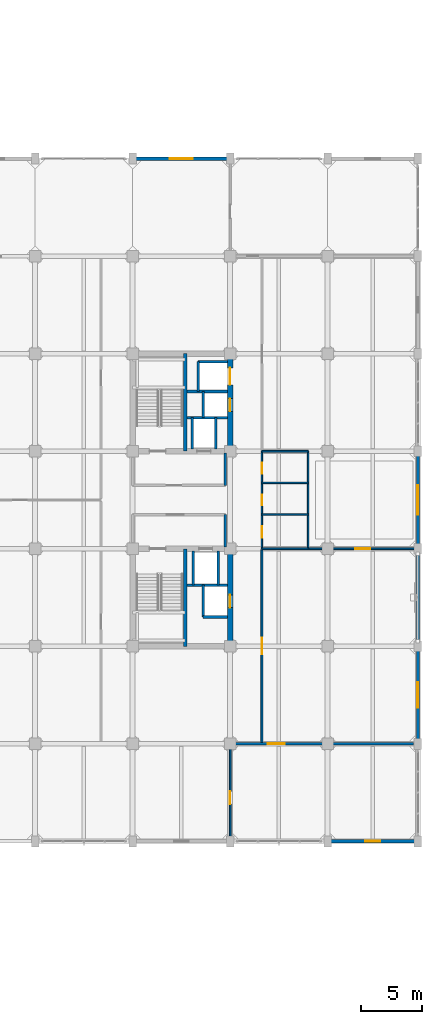
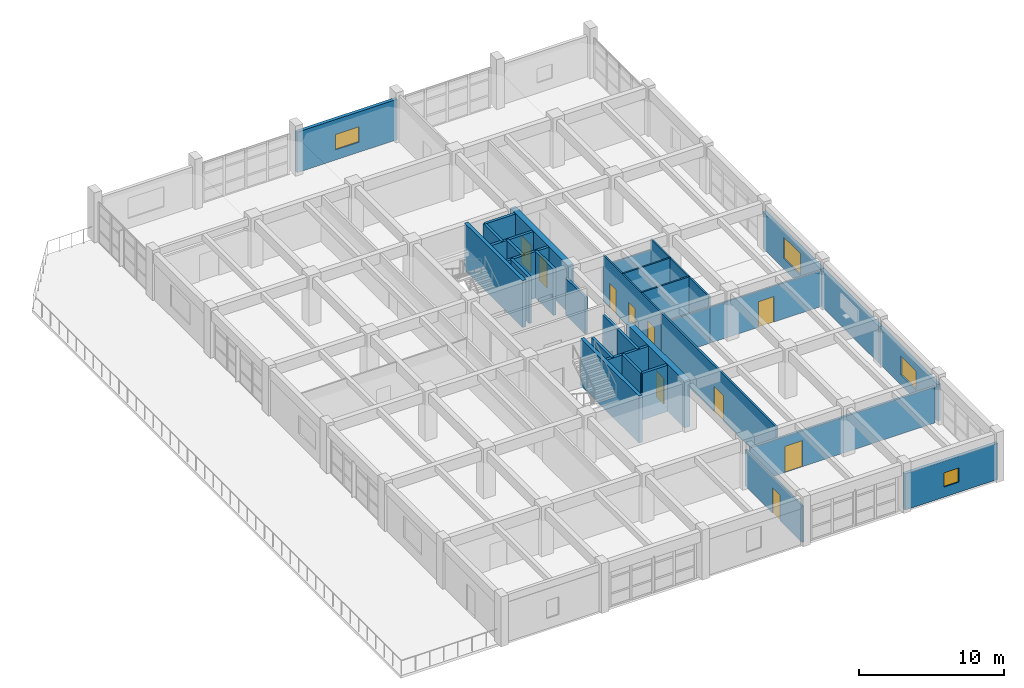
# One storey, part 27 of 35: 33 walls, 10 doors, 4 windows, 14 openings.
"""IFC4 building model written with IfcOpenShell, lengths in metres."""

from ifc_helpers import new_model, si_unit, direction, frame, frame_2d, origin, place, context, subcontext, project, spatial, rectangle, extrude, material, layer, layer_set, type_object, element, fill, save


model = new_model("IFC4")

# Units and contexts
model_context = context("Model", 3, precision=1e-05, world=origin(), true_north=direction((0.0, 1.0)))
body_context = subcontext(model_context, "Body", "Model", "MODEL_VIEW")
ifc_project = project(units=[si_unit("LENGTHUNIT", "METRE"), si_unit("AREAUNIT", "SQUARE_METRE"), si_unit("VOLUMEUNIT", "CUBIC_METRE"), si_unit("PLANEANGLEUNIT", "RADIAN"), si_unit("MASSUNIT", "GRAM", prefix="KILO")], contexts=[model_context])

# Site, building, storey
site_placement = place(None, origin())
site = spatial("IfcSite", under=ifc_project, at=site_placement, CompositionType="ELEMENT")
building_placement = place(site_placement, origin())
building = spatial("IfcBuilding", under=site, at=building_placement, Name="Canggui Botanical Conservatory", CompositionType="ELEMENT")
storey_placement = place(building_placement, frame((0.0, 0.0, 15.0)))
storey = spatial("IfcBuildingStorey", under=building, at=storey_placement, Name="L04", CompositionType="ELEMENT", Elevation=15.0)

# Wall, opening, window
ifc_material_1 = material(Name="Precast Concrete C40", Category="concrete")
ifc_layer_1 = layer(ifc_material_1, 0.260009765625, Name="Precast Concrete C40", Category="concrete")
ifc_layer_set_1 = layer_set([ifc_layer_1], Name="Precast Concrete C40")
wall_type_1 = type_object("IfcWallType", Name="EW-260", PredefinedType="STANDARD", material=ifc_layer_set_1)
wall_1_placement = place(storey_placement, frame((177.39990234375, 26.0, 0.0), z_axis=(0.0, 0.0, 1.0), x_axis=(-1.0, 0.0, 0.0)))
wall_1 = element("IfcWall", 1, at=wall_1_placement, inside=storey, type_object=wall_type_1, Name="Tower Insulated Exterior Wall L04-S1", PredefinedType="STANDARD", context=body_context, shape_type="SweptSolid", body=[
    extrude(rectangle(XDim=7.39990234375, YDim=0.260009765625, at=frame_2d((3.699951171875, 0.0))), origin(), (0.0, 0.0, 1.0), 3.030029296875),
])
opening_1_placement = place(wall_1_placement, frame((3.10009765625, 0.0, 0.85009765625)))
opening_1 = element("IfcOpeningElement", 2, at=opening_1_placement, cuts=wall_1, Name="Opening W-06", PredefinedType="OPENING", context=body_context, shape_type="SweptSolid", body=[
    extrude(rectangle(XDim=1.199951171875, YDim=1.199951171875, at=frame_2d((0.60009765625, 0.60009765625))), frame((0.0, 0.14013671875, 0.0), z_axis=(0.0, -1.0, 0.0), x_axis=(1.0, 0.0, 0.0)), (0.0, 0.0, 1.0), 0.280029296875),
])
ifc_material_2 = material(Name="Low-E Insulated Glass", Category="glass")
window_type_1 = type_object("IfcWindowType", Name="WIN-06", PartitioningType="SINGLE_PANEL", PredefinedType="WINDOW", material=ifc_material_2)
window_1_placement = place(opening_1_placement, origin())
window_1 = element("IfcWindow", 3, at=window_1_placement, inside=storey, type_object=window_type_1, Name="Tower Firefighter Rescue Window L04-1", OverallHeight=1.199951171875, OverallWidth=1.199951171875, PartitioningType="SINGLE_PANEL", PredefinedType="WINDOW", context=body_context, shape_type="SweptSolid", body=[
    extrude(rectangle(XDim=1.199951171875, YDim=1.199951171875, at=frame_2d((0.60009765625, 0.60009765625))), frame((0.0, 0.030029296875, 0.0), z_axis=(0.0, -1.0, 0.0), x_axis=(1.0, 0.0, 0.0)), (0.0, 0.0, 1.0), 0.06005859375),
])
fill(opening_1, window_1)

wall_2_placement = place(storey_placement, frame((154.0, 82.0, 0.0), z_axis=(0.0, 0.0, 1.0), x_axis=(1.0, 0.0, 0.0)))
wall_2 = element("IfcWall", 4, at=wall_2_placement, inside=storey, type_object=wall_type_1, Name="Tower Insulated Exterior Wall L04-N15", PredefinedType="STANDARD", context=body_context, shape_type="SweptSolid", body=[
    extrude(rectangle(XDim=8.0, YDim=0.260009765625, at=frame_2d((4.0, 0.0))), origin(), (0.0, 0.0, 1.0), 3.39990234375),
])
opening_2_placement = place(wall_2_placement, frame((3.050048828125, 0.0, 0.85009765625)))
opening_2 = element("IfcOpeningElement", 5, at=opening_2_placement, cuts=wall_2, Name="Opening W-22", PredefinedType="OPENING", context=body_context, shape_type="SweptSolid", body=[
    extrude(rectangle(XDim=1.89990234375, YDim=1.300048828125, at=frame_2d((0.949951171875, 0.64990234375))), frame((0.0, 0.14013671875, 0.0), z_axis=(0.0, -1.0, 0.0), x_axis=(1.0, 0.0, 0.0)), (0.0, 0.0, 1.0), 0.280029296875),
])
window_type_2 = type_object("IfcWindowType", Name="WIN-22", PartitioningType="DOUBLE_PANEL_VERTICAL", PredefinedType="WINDOW", material=ifc_material_2)
window_2_placement = place(opening_2_placement, origin())
window_2 = element("IfcWindow", 6, at=window_2_placement, inside=storey, type_object=window_type_2, Name="Tower Window L04-15", OverallHeight=1.300048828125, OverallWidth=1.89990234375, PartitioningType="SINGLE_PANEL", PredefinedType="WINDOW", context=body_context, shape_type="SweptSolid", body=[
    extrude(rectangle(XDim=1.89990234375, YDim=1.300048828125, at=frame_2d((0.949951171875, 0.64990234375))), frame((0.0, 0.030029296875, 0.0), z_axis=(0.0, -1.0, 0.0), x_axis=(1.0, 0.0, 0.0)), (0.0, 0.0, 1.0), 0.06005859375),
])
fill(opening_2, window_2)

wall_3_placement = place(storey_placement, frame((177.39990234375, 58.0, 0.0), z_axis=(0.0, 0.0, 1.0), x_axis=(0.0, -1.0, 0.0)))
wall_3 = element("IfcWall", 7, at=wall_3_placement, inside=storey, type_object=wall_type_1, Name="Tower Insulated Exterior Wall L04-E21", PredefinedType="STANDARD", context=body_context, shape_type="SweptSolid", body=[
    extrude(rectangle(XDim=8.0, YDim=0.260009765625, at=frame_2d((4.0, 0.0))), origin(), (0.0, 0.0, 1.0), 3.080078125),
])
opening_3_placement = place(wall_3_placement, frame((2.800048828125, 0.0, 0.85009765625)))
opening_3 = element("IfcOpeningElement", 8, at=opening_3_placement, cuts=wall_3, Name="Opening W-01", PredefinedType="OPENING", context=body_context, shape_type="SweptSolid", body=[
    extrude(rectangle(XDim=2.39990234375, YDim=1.800048828125, at=frame_2d((1.199951171875, 0.89990234375))), frame((0.0, 0.14013671875, 0.0), z_axis=(0.0, -1.0, 0.0), x_axis=(1.0, 0.0, 0.0)), (0.0, 0.0, 1.0), 0.280029296875),
])
window_type_3 = type_object("IfcWindowType", Name="WIN-01", PartitioningType="DOUBLE_PANEL_VERTICAL", PredefinedType="WINDOW", material=ifc_material_2)
window_3_placement = place(opening_3_placement, origin())
window_3 = element("IfcWindow", 9, at=window_3_placement, inside=storey, type_object=window_type_3, Name="Tower Window L04-21", OverallHeight=1.800048828125, OverallWidth=2.39990234375, PartitioningType="SINGLE_PANEL", PredefinedType="WINDOW", context=body_context, shape_type="SweptSolid", body=[
    extrude(rectangle(XDim=2.39990234375, YDim=1.800048828125, at=frame_2d((1.199951171875, 0.89990234375))), frame((0.0, 0.030029296875, 0.0), z_axis=(0.0, -1.0, 0.0), x_axis=(1.0, 0.0, 0.0)), (0.0, 0.0, 1.0), 0.06005859375),
])
fill(opening_3, window_3)

# Wall
wall_4_placement = place(storey_placement, frame((177.39990234375, 50.0, 0.0), z_axis=(0.0, 0.0, 1.0), x_axis=(0.0, -1.0, 0.0)))
element("IfcWall", 10, at=wall_4_placement, inside=storey, type_object=wall_type_1, Name="Tower Insulated Exterior Wall L04-E22", PredefinedType="STANDARD", context=body_context, shape_type="SweptSolid", body=[
    extrude(rectangle(XDim=8.0, YDim=0.260009765625, at=frame_2d((4.0, 0.0))), origin(), (0.0, 0.0, 1.0), 3.080078125),
])

# Wall, opening, window
wall_5_placement = place(storey_placement, frame((177.39990234375, 42.0, 0.0), z_axis=(0.0, 0.0, 1.0), x_axis=(0.0, -1.0, 0.0)))
wall_5 = element("IfcWall", 11, at=wall_5_placement, inside=storey, type_object=wall_type_1, Name="Tower Insulated Exterior Wall L04-E23", PredefinedType="STANDARD", context=body_context, shape_type="SweptSolid", body=[
    extrude(rectangle(XDim=8.0, YDim=0.260009765625, at=frame_2d((4.0, 0.0))), origin(), (0.0, 0.0, 1.0), 3.080078125),
])
opening_4_placement = place(wall_5_placement, frame((2.949951171875, 0.0, 0.85009765625)))
opening_4 = element("IfcOpeningElement", 12, at=opening_4_placement, cuts=wall_5, Name="Opening W-02", PredefinedType="OPENING", context=body_context, shape_type="SweptSolid", body=[
    extrude(rectangle(XDim=2.10009765625, YDim=1.60009765625, at=frame_2d((1.050048828125, 0.800048828125))), frame((0.0, 0.14013671875, 0.0), z_axis=(0.0, -1.0, 0.0), x_axis=(1.0, 0.0, 0.0)), (0.0, 0.0, 1.0), 0.280029296875),
])
window_type_4 = type_object("IfcWindowType", Name="WIN-02", PartitioningType="DOUBLE_PANEL_VERTICAL", PredefinedType="WINDOW", material=ifc_material_2)
window_4_placement = place(opening_4_placement, origin())
window_4 = element("IfcWindow", 13, at=window_4_placement, inside=storey, type_object=window_type_4, Name="Tower Window L04-23", OverallHeight=1.60009765625, OverallWidth=2.10009765625, PartitioningType="SINGLE_PANEL", PredefinedType="WINDOW", context=body_context, shape_type="SweptSolid", body=[
    extrude(rectangle(XDim=2.10009765625, YDim=1.60009765625, at=frame_2d((1.050048828125, 0.800048828125))), frame((0.0, 0.030029296875, 0.0), z_axis=(0.0, -1.0, 0.0), x_axis=(1.0, 0.0, 0.0)), (0.0, 0.0, 1.0), 0.06005859375),
])
fill(opening_4, window_4)

# Wall, opening, door
ifc_material_3 = material(Name="Gypsum Plasterboard Partition")
ifc_layer_2 = layer(ifc_material_3, 0.175048828125, Name="Gypsum Plasterboard Partition")
ifc_layer_set_2 = layer_set([ifc_layer_2], Name="Gypsum Plasterboard Partition")
wall_type_2 = type_object("IfcWallType", Name="IW-CORR-175", PredefinedType="STANDARD", material=ifc_layer_set_2)
wall_6_placement = place(storey_placement, frame((162.35009765625, 34.0, 0.0), z_axis=(0.0, 0.0, 1.0), x_axis=(1.0, 0.0, 0.0)))
wall_6 = element("IfcWall", 14, at=wall_6_placement, inside=storey, type_object=wall_type_2, Name="L04 Curatorial Write-Up Studio South Suite Wall", PredefinedType="STANDARD", context=body_context, shape_type="SweptSolid", body=[
    extrude(rectangle(XDim=14.699951171875, YDim=0.175048828125, at=frame_2d((7.35009765625, 0.0))), origin(), (0.0, 0.0, 1.0), 3.030029296875),
])
opening_5_placement = place(wall_6_placement, frame((2.75, 0.0, 0.0)))
opening_5 = element("IfcOpeningElement", 15, at=opening_5_placement, cuts=wall_6, Name="Opening FD-11", PredefinedType="OPENING", context=body_context, shape_type="SweptSolid", body=[
    extrude(rectangle(XDim=1.39990234375, YDim=2.199951171875, at=frame_2d((0.699951171875, 1.10009765625))), frame((0.0, 0.09765625, 0.0), z_axis=(0.0, -1.0, 0.0), x_axis=(1.0, 0.0, 0.0)), (0.0, 0.0, 1.0), 0.195068359375),
])
ifc_material_4 = material(Name="Powder-Coated Steel", Category="steel")
door_type_1 = type_object("IfcDoorType", Name="FD-11", OperationType="NOTDEFINED", PredefinedType="DOOR", material=ifc_material_4)
door_1_placement = place(opening_5_placement, origin())
door_1 = element("IfcDoor", 16, at=door_1_placement, inside=storey, type_object=door_type_1, Name="Interior Door IW-L04-SCOR-2", OperationType="SINGLE_SWING_LEFT", OverallHeight=2.199951171875, OverallWidth=1.39990234375, PredefinedType="DOOR", context=body_context, shape_type="SweptSolid", body=[
    extrude(rectangle(XDim=1.39990234375, YDim=2.199951171875, at=frame_2d((0.699951171875, 1.10009765625))), frame((0.0, 0.02490234375, 0.0), z_axis=(0.0, -1.0, 0.0), x_axis=(1.0, 0.0, 0.0)), (0.0, 0.0, 1.0), 0.050048828125),
])
fill(opening_5, door_1)

ifc_layer_3 = layer(ifc_material_3, 0.155029296875, Name="Gypsum Plasterboard Partition")
ifc_layer_set_3 = layer_set([ifc_layer_3], Name="Gypsum Plasterboard Partition")
wall_type_3 = type_object("IfcWallType", Name="IW-LAB-155", PredefinedType="STANDARD", material=ifc_layer_set_3)
wall_7_placement = place(storey_placement, frame((164.60009765625, 34.1201171875, 0.0), z_axis=(0.0, 0.0, 1.0), x_axis=(0.0, 1.0, 0.0)))
wall_7 = element("IfcWall", 17, at=wall_7_placement, inside=storey, type_object=wall_type_3, Name="L04 Taxonomy Research Studio Lab Wall", PredefinedType="STANDARD", context=body_context, shape_type="SweptSolid", body=[
    extrude(rectangle(XDim=15.7998046875, YDim=0.155029296875, at=frame_2d((7.89990234375, 0.0))), origin(), (0.0, 0.0, 1.0), 3.89990234375),
])
opening_6_placement = place(wall_7_placement, frame((7.22509765625, 0.0, 0.0)))
opening_6 = element("IfcOpeningElement", 18, at=opening_6_placement, cuts=wall_7, Name="Opening FD-10", PredefinedType="OPENING", context=body_context, shape_type="SweptSolid", body=[
    extrude(rectangle(XDim=1.35009765625, YDim=2.14990234375, at=frame_2d((0.675048828125, 1.074951171875))), frame((0.0, 0.08740234375, 0.0), z_axis=(0.0, -1.0, 0.0), x_axis=(1.0, 0.0, 0.0)), (0.0, 0.0, 1.0), 0.175048828125),
])
door_type_2 = type_object("IfcDoorType", Name="FD-10", OperationType="NOTDEFINED", PredefinedType="DOOR", material=ifc_material_4)
door_2_placement = place(opening_6_placement, origin())
door_2 = element("IfcDoor", 19, at=door_2_placement, inside=storey, type_object=door_type_2, Name="Interior Door IW-L04-ECOR-1-1", OperationType="SINGLE_SWING_RIGHT", OverallHeight=2.14990234375, OverallWidth=1.35009765625, PredefinedType="DOOR", context=body_context, shape_type="SweptSolid", body=[
    extrude(rectangle(XDim=1.35009765625, YDim=2.14990234375, at=frame_2d((0.675048828125, 1.074951171875))), frame((0.0, 0.02490234375, 0.0), z_axis=(0.0, -1.0, 0.0), x_axis=(1.0, 0.0, 0.0)), (0.0, 0.0, 1.0), 0.050048828125),
])
fill(opening_6, door_2)

# Walls
ifc_material_5 = material(Name="Concrete C35", Category="concrete")
ifc_layer_4 = layer(ifc_material_5, 0.195068359375, Name="Concrete C35", Category="concrete")
ifc_layer_set_4 = layer_set([ifc_layer_4], Name="Concrete C35")
wall_type_4 = type_object("IfcWallType", Name="IW-LOBBY-195", PredefinedType="STANDARD", material=ifc_layer_set_4)
for number, where, z_axis, x_axis, name in (
    (20, (161.60009765625, 50.14990234375, 0.0), (0.0, 0.0, 1.0), (0.0, 1.0, 0.0), "L04 South Firefighting Lift Lobby East Wall"),
    (21, (161.60009765625, 55.199951171875, 0.0), (0.0, 0.0, 1.0), (0.0, 1.0, 0.0), "L04 North Firefighting Lift Lobby East Wall"),
):
    element("IfcWall", number, at=place(storey_placement, frame(where, z_axis=z_axis, x_axis=x_axis)), inside=storey, type_object=wall_type_4, Name=name, PredefinedType="STANDARD", context=body_context, shape_type="SweptSolid", body=[
        extrude(rectangle(XDim=2.650146484375, YDim=0.195068359375, at=frame_2d((1.3251953125, 0.0))), origin(), (0.0, 0.0, 1.0), 3.080078125),
    ])

# Wall, opening, door
ifc_layer_5 = layer(ifc_material_3, 0.139892578125, Name="Gypsum Plasterboard Partition")
ifc_layer_set_5 = layer_set([ifc_layer_5], Name="Gypsum Plasterboard Partition")
wall_type_5 = type_object("IfcWallType", Name="IW-PART-140", PredefinedType="STANDARD", material=ifc_layer_set_5)
wall_8_placement = place(storey_placement, frame((168.39990234375, 50.0, 0.0), z_axis=(0.0, 0.0, 1.0), x_axis=(1.0, 0.0, 0.0)))
wall_8 = element("IfcWall", 22, at=wall_8_placement, inside=storey, type_object=wall_type_5, Name="L04 Taxonomy Research Studio Subdivision Wall", PredefinedType="STANDARD", context=body_context, shape_type="SweptSolid", body=[
    extrude(rectangle(XDim=8.960205078125, YDim=0.139892578125, at=frame_2d((4.47998046875, 0.0))), origin(), (0.0, 0.0, 1.0), 3.030029296875),
])
opening_7_placement = place(wall_8_placement, frame((3.8701171875, 0.0, 0.0)))
opening_7 = element("IfcOpeningElement", 23, at=opening_7_placement, cuts=wall_8, Name="Opening ID-08", PredefinedType="OPENING", context=body_context, shape_type="SweptSolid", body=[
    extrude(rectangle(XDim=1.219970703125, YDim=2.139892578125, at=frame_2d((0.60986328125, 1.06982421875))), frame((0.0, 0.080078125, 0.0), z_axis=(0.0, -1.0, 0.0), x_axis=(1.0, 0.0, 0.0)), (0.0, 0.0, 1.0), 0.159912109375),
])
ifc_material_6 = material(Name="Engineered Timber Veneer", Category="wood")
door_type_3 = type_object("IfcDoorType", Name="ID-08", OperationType="NOTDEFINED", PredefinedType="DOOR", material=ifc_material_6)
door_3_placement = place(opening_7_placement, origin())
door_3 = element("IfcDoor", 24, at=door_3_placement, inside=storey, type_object=door_type_3, Name="Interior Door IW-L04-EDIV-1", OperationType="SINGLE_SWING_LEFT", OverallHeight=2.139892578125, OverallWidth=1.219970703125, PredefinedType="DOOR", context=body_context, shape_type="SweptSolid", body=[
    extrude(rectangle(XDim=1.219970703125, YDim=2.139892578125, at=frame_2d((0.60986328125, 1.06982421875))), frame((0.0, 0.02490234375, 0.0), z_axis=(0.0, -1.0, 0.0), x_axis=(1.0, 0.0, 0.0)), (0.0, 0.0, 1.0), 0.050048828125),
])
fill(opening_7, door_3)

wall_9_placement = place(storey_placement, frame((162.0, 26.050048828125, 0.0), z_axis=(0.0, 0.0, 1.0), x_axis=(0.0, 1.0, 0.0)))
wall_9 = element("IfcWall", 25, at=wall_9_placement, inside=storey, type_object=wall_type_5, Name="L04 Herbarium Conservation Laboratory South Cross Wall", PredefinedType="STANDARD", context=body_context, shape_type="SweptSolid", body=[
    extrude(rectangle(XDim=7.829833984375, YDim=0.139892578125, at=frame_2d((3.9150390625, 0.0))), origin(), (0.0, 0.0, 1.0), 3.080078125),
])
opening_8_placement = place(wall_9_placement, frame((3.0, 0.0, 0.0)))
opening_8 = element("IfcOpeningElement", 26, at=opening_8_placement, cuts=wall_9, Name="Opening ID-05", PredefinedType="OPENING", context=body_context, shape_type="SweptSolid", body=[
    extrude(rectangle(XDim=1.06005859375, YDim=2.1201171875, at=frame_2d((0.530029296875, 1.06005859375))), frame((0.0, 0.080078125, 0.0), z_axis=(0.0, -1.0, 0.0), x_axis=(1.0, 0.0, 0.0)), (0.0, 0.0, 1.0), 0.159912109375),
])
door_type_4 = type_object("IfcDoorType", Name="ID-05", OperationType="NOTDEFINED", PredefinedType="DOOR", material=ifc_material_6)
door_4_placement = place(opening_8_placement, origin())
door_4 = element("IfcDoor", 27, at=door_4_placement, inside=storey, type_object=door_type_4, Name="Interior Door IW-L04-SDIV-1", OperationType="SINGLE_SWING_RIGHT", OverallHeight=2.1201171875, OverallWidth=1.06005859375, PredefinedType="DOOR", context=body_context, shape_type="SweptSolid", body=[
    extrude(rectangle(XDim=1.06005859375, YDim=2.1201171875, at=frame_2d((0.530029296875, 1.06005859375))), frame((0.0, 0.02490234375, 0.0), z_axis=(0.0, -1.0, 0.0), x_axis=(1.0, 0.0, 0.0)), (0.0, 0.0, 1.0), 0.050048828125),
])
fill(opening_8, door_4)

# Walls
ifc_layer_6 = layer(ifc_material_5, 0.215087890625, Name="Concrete C35", Category="concrete")
ifc_layer_set_6 = layer_set([ifc_layer_6], Name="Concrete C35")
wall_type_6 = type_object("IfcWallType", Name="IW-SHAFT-215", PredefinedType="STANDARD", material=ifc_layer_set_6)
wall_10_placement = place(storey_placement, frame((158.449951171875, 47.02001953125, 0.0), z_axis=(0.0, 0.0, 1.0), x_axis=(1.0, 0.0, 0.0)))
element("IfcWall", 28, at=wall_10_placement, inside=storey, type_object=wall_type_6, Name="Core T1 Lift Shaft Divider L04", PredefinedType="STANDARD", context=body_context, shape_type="SweptSolid", body=[
    extrude(rectangle(XDim=3.35009765625, YDim=0.215087890625, at=frame_2d((1.675048828125, 0.0))), origin(), (0.0, 0.0, 1.0), 3.89990234375),
])
for number, where, z_axis, x_axis, name in (
    (29, (158.97998046875, 47.02001953125, 0.0), (0.0, 0.0, 1.0), (0.0, 1.0, 0.0), "Core T1 FL-01 West Shaft Wall L04"),
    (30, (161.02001953125, 47.02001953125, 0.0), (0.0, 0.0, 1.0), (0.0, 1.0, 0.0), "Core T1 FL-01 East Shaft Wall L04"),
):
    element("IfcWall", number, at=place(storey_placement, frame(where, z_axis=z_axis, x_axis=x_axis)), inside=storey, type_object=wall_type_6, Name=name, PredefinedType="STANDARD", context=body_context, shape_type="SweptSolid", body=[
        extrude(rectangle(XDim=2.780029296875, YDim=0.215087890625, at=frame_2d((1.39013671875, 0.0))), origin(), (0.0, 0.0, 1.0), 3.89990234375),
    ])
wall_11_placement = place(storey_placement, frame((159.780029296875, 44.39990234375, 0.0), z_axis=(0.0, 0.0, 1.0), x_axis=(0.0, 1.0, 0.0)))
element("IfcWall", 31, at=wall_11_placement, inside=storey, type_object=wall_type_6, Name="Core T1 PL-01 West Shaft Wall L04", PredefinedType="STANDARD", context=body_context, shape_type="SweptSolid", body=[
    extrude(rectangle(XDim=2.6201171875, YDim=0.215087890625, at=frame_2d((1.31005859375, 0.0))), origin(), (0.0, 0.0, 1.0), 3.89990234375),
])
wall_12_placement = place(storey_placement, frame((159.780029296875, 44.39990234375, 0.0), z_axis=(0.0, 0.0, 1.0), x_axis=(1.0, 0.0, 0.0)))
element("IfcWall", 32, at=wall_12_placement, inside=storey, type_object=wall_type_6, Name="Core T1 PL-01 South Shaft Wall L04", PredefinedType="STANDARD", context=body_context, shape_type="SweptSolid", body=[
    extrude(rectangle(XDim=2.02001953125, YDim=0.215087890625, at=frame_2d((1.010009765625, 0.0))), origin(), (0.0, 0.0, 1.0), 3.89990234375),
])
wall_13_placement = place(storey_placement, frame((158.449951171875, 62.89990234375, 0.0), z_axis=(0.0, 0.0, 1.0), x_axis=(1.0, 0.0, 0.0)))
element("IfcWall", 33, at=wall_13_placement, inside=storey, type_object=wall_type_6, Name="Core T2 Goods Lift Shaft Divider L04", PredefinedType="STANDARD", context=body_context, shape_type="SweptSolid", body=[
    extrude(rectangle(XDim=3.35009765625, YDim=0.215087890625, at=frame_2d((1.675048828125, 0.0))), origin(), (0.0, 0.0, 1.0), 3.89990234375),
])
wall_14_placement = place(storey_placement, frame((160.820068359375, 58.199951171875, 0.0), z_axis=(0.0, 0.0, 1.0), x_axis=(0.0, 1.0, 0.0)))
element("IfcWall", 34, at=wall_14_placement, inside=storey, type_object=wall_type_6, Name="Core T2 Lift Bank Web L04", PredefinedType="STANDARD", context=body_context, shape_type="SweptSolid", body=[
    extrude(rectangle(XDim=2.550048828125, YDim=0.215087890625, at=frame_2d((1.27490234375, 0.0))), origin(), (0.0, 0.0, 1.0), 3.89990234375),
])
wall_15_placement = place(storey_placement, frame((159.3798828125, 62.89990234375, 0.0), z_axis=(0.0, 0.0, 1.0), x_axis=(0.0, 1.0, 0.0)))
element("IfcWall", 35, at=wall_15_placement, inside=storey, type_object=wall_type_6, Name="Core T2 GL-01 West Shaft Wall L04", PredefinedType="STANDARD", context=body_context, shape_type="SweptSolid", body=[
    extrude(rectangle(XDim=2.4501953125, YDim=0.215087890625, at=frame_2d((1.22509765625, 0.0))), origin(), (0.0, 0.0, 1.0), 3.89990234375),
])
wall_16_placement = place(storey_placement, frame((159.3798828125, 65.35009765625, 0.0), z_axis=(0.0, 0.0, 1.0), x_axis=(1.0, 0.0, 0.0)))
element("IfcWall", 36, at=wall_16_placement, inside=storey, type_object=wall_type_6, Name="Core T2 GL-01 North Shaft Wall L04", PredefinedType="STANDARD", context=body_context, shape_type="SweptSolid", body=[
    extrude(rectangle(XDim=2.420166015625, YDim=0.215087890625, at=frame_2d((1.2099609375, 0.0))), origin(), (0.0, 0.0, 1.0), 3.89990234375),
])
wall_17_placement = place(storey_placement, frame((158.449951171875, 60.75, 0.0), z_axis=(0.0, 0.0, 1.0), x_axis=(1.0, 0.0, 0.0)))
element("IfcWall", 37, at=wall_17_placement, inside=storey, type_object=wall_type_6, Name="Core T2 PL-02 South Shaft Wall L04", PredefinedType="STANDARD", context=body_context, shape_type="SweptSolid", body=[
    extrude(rectangle(XDim=3.35009765625, YDim=0.215087890625, at=frame_2d((1.675048828125, 0.0))), origin(), (0.0, 0.0, 1.0), 3.89990234375),
])
wall_18_placement = place(storey_placement, frame((159.780029296875, 60.75, 0.0), z_axis=(0.0, 0.0, 1.0), x_axis=(0.0, 1.0, 0.0)))
element("IfcWall", 38, at=wall_18_placement, inside=storey, type_object=wall_type_6, Name="Core T2 PL-02 West Shaft Wall L04", PredefinedType="STANDARD", context=body_context, shape_type="SweptSolid", body=[
    extrude(rectangle(XDim=2.14990234375, YDim=0.215087890625, at=frame_2d((1.074951171875, 0.0))), origin(), (0.0, 0.0, 1.0), 3.89990234375),
])
wall_19_placement = place(storey_placement, frame((158.8798828125, 58.199951171875, 0.0), z_axis=(0.0, 0.0, 1.0), x_axis=(0.0, 1.0, 0.0)))
element("IfcWall", 39, at=wall_19_placement, inside=storey, type_object=wall_type_6, Name="Core T2 FL-02 West Shaft Wall L04", PredefinedType="STANDARD", context=body_context, shape_type="SweptSolid", body=[
    extrude(rectangle(XDim=2.550048828125, YDim=0.215087890625, at=frame_2d((1.27490234375, 0.0))), origin(), (0.0, 0.0, 1.0), 3.89990234375),
])

# Wall, openings, doors
ifc_layer_7 = layer(ifc_material_3, 0.125, Name="Gypsum Plasterboard Partition")
ifc_layer_set_7 = layer_set([ifc_layer_7], Name="Gypsum Plasterboard Partition")
wall_type_7 = type_object("IfcWallType", Name="IW-WC-125", PredefinedType="STANDARD", material=ifc_layer_set_7)
wall_20_placement = place(storey_placement, frame((164.60009765625, 50.0, 0.0), z_axis=(0.0, 0.0, 1.0), x_axis=(0.0, 1.0, 0.0)))
wall_20 = element("IfcWall", 40, at=wall_20_placement, inside=storey, type_object=wall_type_7, Name="L04 Restroom Block Corridor Wall", PredefinedType="STANDARD", context=body_context, shape_type="SweptSolid", body=[
    extrude(rectangle(XDim=8.0, YDim=0.125, at=frame_2d((4.0, 0.0))), origin(), (0.0, 0.0, 1.0), 3.89990234375),
])
opening_9_placement = place(wall_20_placement, frame((0.89990234375, 0.0, 0.0)))
opening_9 = element("IfcOpeningElement", 41, at=opening_9_placement, cuts=wall_20, Name="Opening ID-03", PredefinedType="OPENING", context=body_context, shape_type="SweptSolid", body=[
    extrude(rectangle(XDim=0.9599609375, YDim=2.080078125, at=frame_2d((0.47998046875, 1.0400390625))), frame((0.0, 0.072509765625, 0.0), z_axis=(0.0, -1.0, 0.0), x_axis=(1.0, 0.0, 0.0)), (0.0, 0.0, 1.0), 0.14501953125),
])
opening_10_placement = place(wall_20_placement, frame((3.550048828125, 0.0, 0.0)))
opening_10 = element("IfcOpeningElement", 42, at=opening_10_placement, cuts=wall_20, Name="Opening ID-01", PredefinedType="OPENING", context=body_context, shape_type="SweptSolid", body=[
    extrude(rectangle(XDim=0.8798828125, YDim=2.050048828125, at=frame_2d((0.43994140625, 1.02490234375))), frame((0.0, 0.072509765625, 0.0), z_axis=(0.0, -1.0, 0.0), x_axis=(1.0, 0.0, 0.0)), (0.0, 0.0, 1.0), 0.14501953125),
])
opening_11_placement = place(wall_20_placement, frame((6.14990234375, 0.0, 0.0)))
opening_11 = element("IfcOpeningElement", 43, at=opening_11_placement, cuts=wall_20, Name="Opening ID-02", PredefinedType="OPENING", context=body_context, shape_type="SweptSolid", body=[
    extrude(rectangle(XDim=0.919921875, YDim=2.050048828125, at=frame_2d((0.4599609375, 1.02490234375))), frame((0.0, 0.072509765625, 0.0), z_axis=(0.0, -1.0, 0.0), x_axis=(1.0, 0.0, 0.0)), (0.0, 0.0, 1.0), 0.14501953125),
])
door_type_5 = type_object("IfcDoorType", Name="ID-01", OperationType="NOTDEFINED", PredefinedType="DOOR", material=ifc_material_6)
door_5_placement = place(opening_10_placement, origin())
door_5 = element("IfcDoor", 44, at=door_5_placement, inside=storey, type_object=door_type_5, Name="L04 Male WC Door", OperationType="SINGLE_SWING_LEFT", OverallHeight=2.050048828125, OverallWidth=0.8798828125, PredefinedType="DOOR", context=body_context, shape_type="SweptSolid", body=[
    extrude(rectangle(XDim=0.8798828125, YDim=2.050048828125, at=frame_2d((0.43994140625, 1.02490234375))), frame((0.0, 0.02490234375, 0.0), z_axis=(0.0, -1.0, 0.0), x_axis=(1.0, 0.0, 0.0)), (0.0, 0.0, 1.0), 0.050048828125),
])
fill(opening_10, door_5)
door_type_6 = type_object("IfcDoorType", Name="ID-02", OperationType="NOTDEFINED", PredefinedType="DOOR", material=ifc_material_6)
door_6_placement = place(opening_11_placement, origin())
door_6 = element("IfcDoor", 45, at=door_6_placement, inside=storey, type_object=door_type_6, Name="L04 Female WC Door", OperationType="SINGLE_SWING_RIGHT", OverallHeight=2.050048828125, OverallWidth=0.919921875, PredefinedType="DOOR", context=body_context, shape_type="SweptSolid", body=[
    extrude(rectangle(XDim=0.919921875, YDim=2.050048828125, at=frame_2d((0.4599609375, 1.02490234375))), frame((0.0, 0.02490234375, 0.0), z_axis=(0.0, -1.0, 0.0), x_axis=(1.0, 0.0, 0.0)), (0.0, 0.0, 1.0), 0.050048828125),
])
fill(opening_11, door_6)
door_type_7 = type_object("IfcDoorType", Name="ID-03", OperationType="NOTDEFINED", PredefinedType="DOOR", material=ifc_material_6)
door_7_placement = place(opening_9_placement, origin())
door_7 = element("IfcDoor", 46, at=door_7_placement, inside=storey, type_object=door_type_7, Name="L04 Accessible WC Door", OperationType="SINGLE_SWING_RIGHT", OverallHeight=2.080078125, OverallWidth=0.9599609375, PredefinedType="DOOR", context=body_context, shape_type="SweptSolid", body=[
    extrude(rectangle(XDim=0.9599609375, YDim=2.080078125, at=frame_2d((0.47998046875, 1.0400390625))), frame((0.0, 0.02490234375, 0.0), z_axis=(0.0, -1.0, 0.0), x_axis=(1.0, 0.0, 0.0)), (0.0, 0.0, 1.0), 0.050048828125),
])
fill(opening_9, door_7)

# Walls
wall_21_placement = place(storey_placement, frame((168.39990234375, 50.0, 0.0), z_axis=(0.0, 0.0, 1.0), x_axis=(0.0, 1.0, 0.0)))
element("IfcWall", 47, at=wall_21_placement, inside=storey, type_object=wall_type_7, Name="L04 Restroom Block Back Wall", PredefinedType="STANDARD", context=body_context, shape_type="SweptSolid", body=[
    extrude(rectangle(XDim=8.0, YDim=0.125, at=frame_2d((4.0, 0.0))), origin(), (0.0, 0.0, 1.0), 3.89990234375),
])
wall_22_placement = place(storey_placement, frame((164.60009765625, 50.0, 0.0), z_axis=(0.0, 0.0, 1.0), x_axis=(1.0, 0.0, 0.0)))
element("IfcWall", 48, at=wall_22_placement, inside=storey, type_object=wall_type_7, Name="L04 Restroom Divider Y50.0", PredefinedType="STANDARD", context=body_context, shape_type="SweptSolid", body=[
    extrude(rectangle(XDim=3.7998046875, YDim=0.125, at=frame_2d((1.89990234375, 0.0))), origin(), (0.0, 0.0, 1.0), 3.030029296875),
])
for number, where, z_axis, x_axis, name in (
    (49, (164.60009765625, 52.800048828125, 0.0), (0.0, 0.0, 1.0), (1.0, 0.0, 0.0), "L04 Restroom Divider Y52.8"),
    (50, (164.60009765625, 55.39990234375, 0.0), (0.0, 0.0, 1.0), (1.0, 0.0, 0.0), "L04 Restroom Divider Y55.4"),
):
    element("IfcWall", number, at=place(storey_placement, frame(where, z_axis=z_axis, x_axis=x_axis)), inside=storey, type_object=wall_type_7, Name=name, PredefinedType="STANDARD", context=body_context, shape_type="SweptSolid", body=[
        extrude(rectangle(XDim=3.7998046875, YDim=0.125, at=frame_2d((1.89990234375, 0.0))), origin(), (0.0, 0.0, 1.0), 3.89990234375),
    ])
wall_23_placement = place(storey_placement, frame((164.60009765625, 58.0, 0.0), z_axis=(0.0, 0.0, 1.0), x_axis=(1.0, 0.0, 0.0)))
element("IfcWall", 51, at=wall_23_placement, inside=storey, type_object=wall_type_7, Name="L04 Restroom Divider Y58.0", PredefinedType="STANDARD", context=body_context, shape_type="SweptSolid", body=[
    extrude(rectangle(XDim=3.7998046875, YDim=0.125, at=frame_2d((1.89990234375, 0.0))), origin(), (0.0, 0.0, 1.0), 3.030029296875),
])
ifc_layer_8 = layer(ifc_material_5, 0.280029296875, Name="Concrete C35", Category="concrete")
ifc_layer_set_8 = layer_set([ifc_layer_8], Name="Concrete C35")
wall_type_8 = type_object("IfcWallType", Name="WALL-SH-280-C35", PredefinedType="SHEAR", material=ifc_layer_set_8)
for number, where, z_axis, x_axis, name in (
    (52, (158.300048828125, 42.0, 0.0), (0.0, 0.0, 1.0), (0.0, 1.0, 0.0), "Core T1 Internal Shear Web L04"),
    (53, (158.300048828125, 58.0, 0.0), (0.0, 0.0, 1.0), (0.0, 1.0, 0.0), "Core T2 Internal Shear Web L04"),
):
    element("IfcWall", number, at=place(storey_placement, frame(where, z_axis=z_axis, x_axis=x_axis)), inside=storey, type_object=wall_type_8, Name=name, PredefinedType="SHEAR", context=body_context, shape_type="SweptSolid", body=[
        extrude(rectangle(XDim=8.0, YDim=0.280029296875, at=frame_2d((4.0, 0.0))), origin(), (0.0, 0.0, 1.0), 3.949951171875),
    ])

# Wall, opening, door
ifc_material_7 = material(Name="Concrete C50", Category="concrete")
ifc_layer_9 = layer(ifc_material_7, 0.449951171875, Name="Concrete C50", Category="concrete")
ifc_layer_set_9 = layer_set([ifc_layer_9], Name="Concrete C50")
wall_type_9 = type_object("IfcWallType", Name="WALL-SH-450-C50", PredefinedType="SHEAR", material=ifc_layer_set_9)
wall_24_placement = place(storey_placement, frame((162.0, 42.0, 0.0), z_axis=(0.0, 0.0, 1.0), x_axis=(0.0, 1.0, 0.0)))
wall_24 = element("IfcWall", 54, at=wall_24_placement, inside=storey, type_object=wall_type_9, Name="Core T1 Shear Wall L04-E", PredefinedType="SHEAR", context=body_context, shape_type="SweptSolid", body=[
    extrude(rectangle(XDim=8.0, YDim=0.449951171875, at=frame_2d((4.0, 0.0))), origin(), (0.0, 0.0, 1.0), 3.949951171875),
])
opening_12_placement = place(wall_24_placement, frame((3.175048828125, 0.0, 0.0)))
opening_12 = element("IfcOpeningElement", 55, at=opening_12_placement, cuts=wall_24, Name="Opening LD-02", PredefinedType="OPENING", context=body_context, shape_type="SweptSolid", body=[
    extrude(rectangle(XDim=1.050048828125, YDim=2.199951171875, at=frame_2d((0.52490234375, 1.10009765625))), frame((0.0, 0.23486328125, 0.0), z_axis=(0.0, -1.0, 0.0), x_axis=(1.0, 0.0, 0.0)), (0.0, 0.0, 1.0), 0.469970703125),
])
ifc_material_8 = material(Name="Stainless Steel 304", Category="steel")
door_type_8 = type_object("IfcDoorType", Name="LDR-02", OperationType="NOTDEFINED", PredefinedType="DOOR", material=ifc_material_8)
door_8_placement = place(opening_12_placement, origin())
door_8 = element("IfcDoor", 56, at=door_8_placement, inside=storey, type_object=door_type_8, Name="Passenger Lift PL-01 Landing Door L04", OperationType="SLIDING_TO_LEFT", OverallHeight=2.199951171875, OverallWidth=1.050048828125, PredefinedType="DOOR", context=body_context, shape_type="SweptSolid", body=[
    extrude(rectangle(XDim=1.050048828125, YDim=2.199951171875, at=frame_2d((0.52490234375, 1.10009765625))), frame((0.0, 0.02490234375, 0.0), z_axis=(0.0, -1.0, 0.0), x_axis=(1.0, 0.0, 0.0)), (0.0, 0.0, 1.0), 0.050048828125),
])
fill(opening_12, door_8)

# Wall, openings, doors
wall_25_placement = place(storey_placement, frame((162.0, 58.0, 0.0), z_axis=(0.0, 0.0, 1.0), x_axis=(0.0, 1.0, 0.0)))
wall_25 = element("IfcWall", 57, at=wall_25_placement, inside=storey, type_object=wall_type_9, Name="Core T2 Shear Wall L04-E", PredefinedType="SHEAR", context=body_context, shape_type="SweptSolid", body=[
    extrude(rectangle(XDim=8.0, YDim=0.449951171875, at=frame_2d((4.0, 0.0))), origin(), (0.0, 0.0, 1.0), 3.949951171875),
])
opening_13_placement = place(wall_25_placement, frame((3.27490234375, 0.0, 0.0)))
opening_13 = element("IfcOpeningElement", 58, at=opening_13_placement, cuts=wall_25, Name="Opening LD-02", PredefinedType="OPENING", context=body_context, shape_type="SweptSolid", body=[
    extrude(rectangle(XDim=1.050048828125, YDim=2.199951171875, at=frame_2d((0.52490234375, 1.10009765625))), frame((0.0, 0.23486328125, 0.0), z_axis=(0.0, -1.0, 0.0), x_axis=(1.0, 0.0, 0.0)), (0.0, 0.0, 1.0), 0.469970703125),
])
opening_14_placement = place(wall_25_placement, frame((5.449951171875, 0.0, 0.0)))
opening_14 = element("IfcOpeningElement", 59, at=opening_14_placement, cuts=wall_25, Name="Opening LD-03", PredefinedType="OPENING", context=body_context, shape_type="SweptSolid", body=[
    extrude(rectangle(XDim=1.39990234375, YDim=2.300048828125, at=frame_2d((0.699951171875, 1.14990234375))), frame((0.0, 0.23486328125, 0.0), z_axis=(0.0, -1.0, 0.0), x_axis=(1.0, 0.0, 0.0)), (0.0, 0.0, 1.0), 0.469970703125),
])
door_9_placement = place(opening_13_placement, origin())
door_9 = element("IfcDoor", 60, at=door_9_placement, inside=storey, type_object=door_type_8, Name="Passenger Lift PL-02 Landing Door L04", OperationType="SLIDING_TO_RIGHT", OverallHeight=2.199951171875, OverallWidth=1.050048828125, PredefinedType="DOOR", context=body_context, shape_type="SweptSolid", body=[
    extrude(rectangle(XDim=1.050048828125, YDim=2.199951171875, at=frame_2d((0.52490234375, 1.10009765625))), frame((0.0, 0.02490234375, 0.0), z_axis=(0.0, -1.0, 0.0), x_axis=(1.0, 0.0, 0.0)), (0.0, 0.0, 1.0), 0.050048828125),
])
fill(opening_13, door_9)
door_type_9 = type_object("IfcDoorType", Name="LDR-03", OperationType="NOTDEFINED", PredefinedType="DOOR", material=ifc_material_8)
door_10_placement = place(opening_14_placement, origin())
door_10 = element("IfcDoor", 61, at=door_10_placement, inside=storey, type_object=door_type_9, Name="Herbarium Goods Lift GL-01 Landing Door L04", OperationType="DOUBLE_DOOR_SLIDING", OverallHeight=2.300048828125, OverallWidth=1.39990234375, PredefinedType="DOOR", context=body_context, shape_type="SweptSolid", body=[
    extrude(rectangle(XDim=1.39990234375, YDim=2.300048828125, at=frame_2d((0.699951171875, 1.14990234375))), frame((0.0, 0.02490234375, 0.0), z_axis=(0.0, -1.0, 0.0), x_axis=(1.0, 0.0, 0.0)), (0.0, 0.0, 1.0), 0.050048828125),
])
fill(opening_14, door_10)

save(model, "model.ifc")
